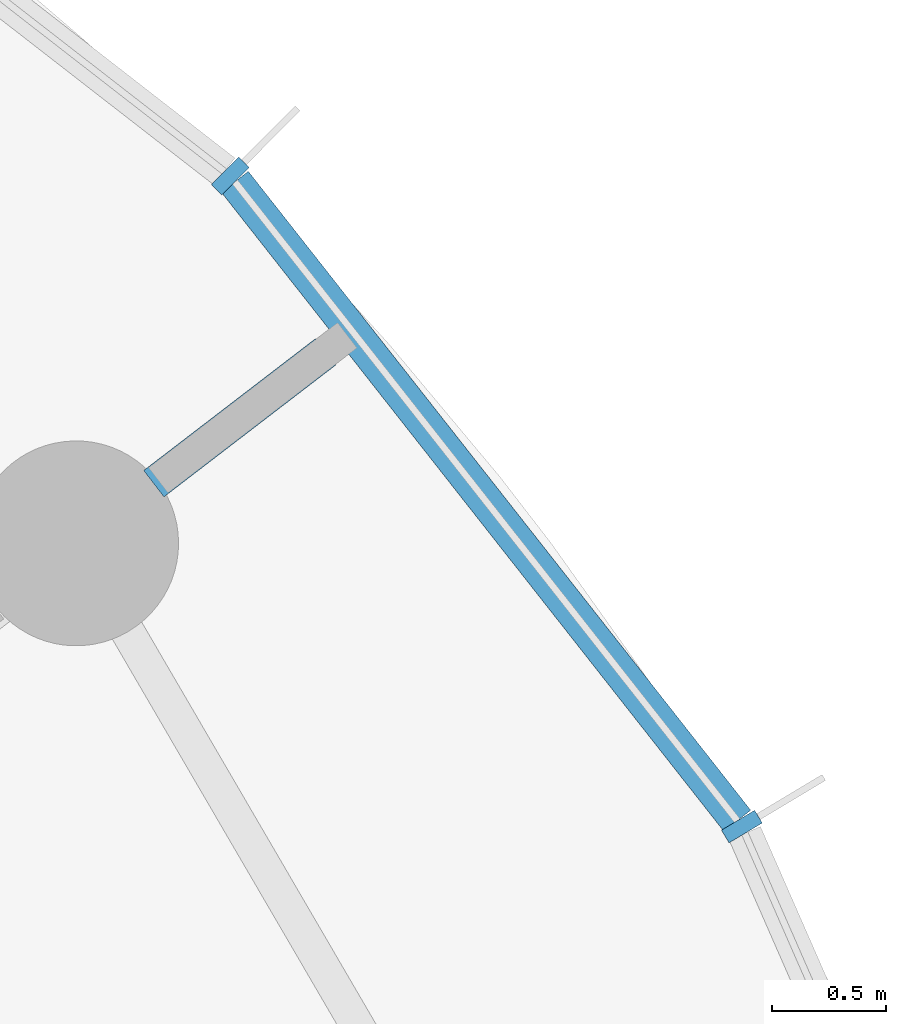
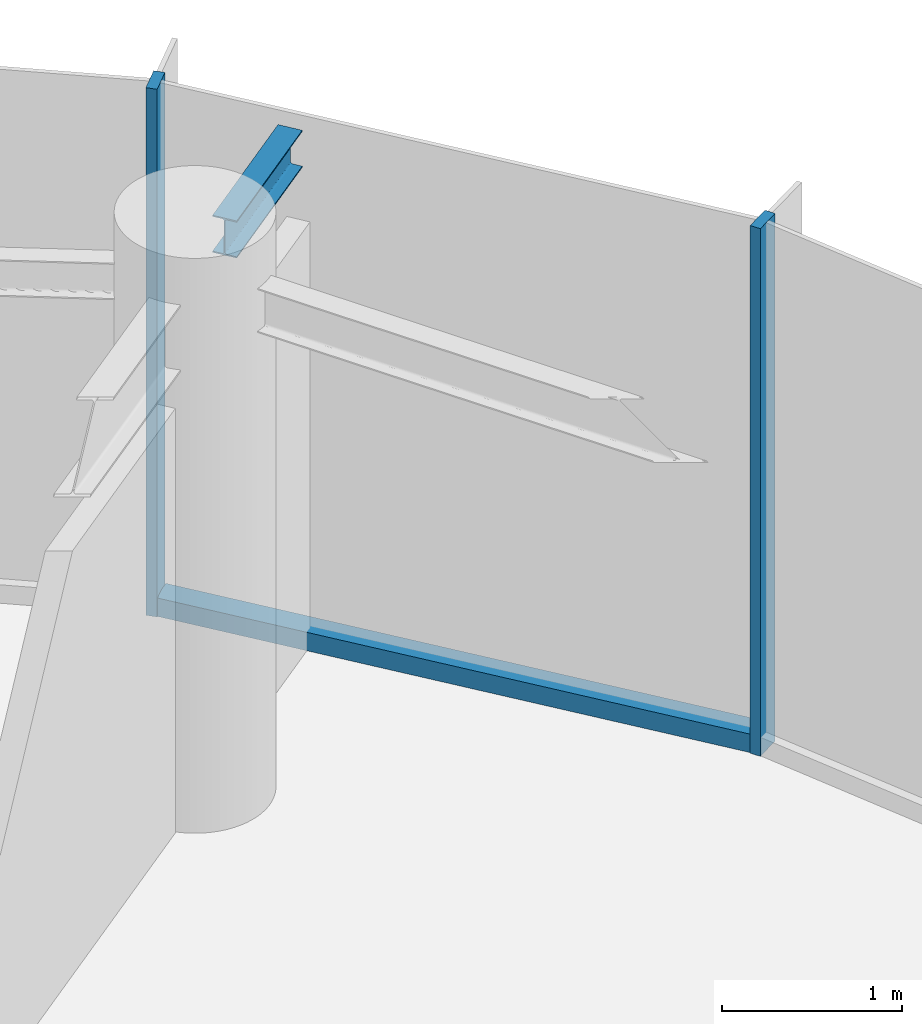
# One storey, part 7 of 14: 3 members, 1 beam, 1 element without a shape of its own.
"""IFC4 building model written with IfcOpenShell, lengths in metres."""

from ifc_helpers import new_model, si_unit, direction, frame, origin, origin_2d, place, context, subcontext, project, spatial, rectangle, i_section, extrude, source, transform, mapped, material, layer, layer_set, material_profile, profile_set, type_object, element, aggregate, save


model = new_model("IFC4")

# Units and contexts
model_context = context("Model", 3, precision=1e-05, world=origin(), true_north=direction((0.0, 1.0)))
body_context = subcontext(model_context, "Body", "Model", "MODEL_VIEW")
ifc_project = project(units=[si_unit("LENGTHUNIT", "METRE"), si_unit("AREAUNIT", "SQUARE_METRE"), si_unit("VOLUMEUNIT", "CUBIC_METRE"), si_unit("PLANEANGLEUNIT", "RADIAN"), si_unit("MASSUNIT", "GRAM", prefix="KILO")], contexts=[model_context])

# Site, building, storey
site_placement = place(None, origin())
site = spatial("IfcSite", under=ifc_project, at=site_placement, CompositionType="ELEMENT")
building_placement = place(site_placement, origin())
building = spatial("IfcBuilding", under=site, at=building_placement, Name="Spindrift Exchange Tower", CompositionType="ELEMENT")
storey_placement = place(building_placement, frame((0.0, 0.0, 203.300048828125)))
storey = spatial("IfcBuildingStorey", under=building, at=storey_placement, Name="L49", CompositionType="ELEMENT", Elevation=203.300048828125)

# Beam
ifc_material_1 = material(Name="Steel Grade 300", Category="steel")
ifc_material_profile_1 = material_profile(ifc_material_1, i_section(OverallWidth=0.14599609375, OverallDepth=0.251953125, WebThickness=0.006103515625, FlangeThickness=0.008544921875, FilletRadius=0.011962890625, at=origin_2d()), Name="250UB31.4")
ifc_profile_set_1 = profile_set([ifc_material_profile_1], Name="Steel Grade 300")
beam_type = type_object("IfcBeamType", Name="Cantilever Beam 250UB31.4 Steel Grade 300", PredefinedType="BEAM", material=ifc_profile_set_1)
shared_shape_1 = source(origin(), body_context, "Body", "SweptSolid", [
    extrude(i_section(OverallWidth=0.14599609375, OverallDepth=0.251953125, WebThickness=0.006103515625, FlangeThickness=0.008544921875, FilletRadius=0.011962890625, at=origin_2d()), origin(), (0.0, 0.0, 1.0), 0.95166015625),
])
beam_placement = place(storey_placement, frame((70.143310546875, 61.921875, 3.453857421875), z_axis=(0.793300680677, 0.608830050209, 0.0), x_axis=(-0.608830050209, 0.793300680677, 0.0)))
element("IfcBeam", 1, at=beam_placement, inside=storey, type_object=beam_type, Name="L49 cantilever beam R03T", PredefinedType="BEAM", context=body_context, shape_type="MappedRepresentation", body=[
    mapped(shared_shape_1, transform((0.0, 0.0, 0.0), scale=1.0)),
])

# Curtain wall, members
ifc_material_2 = material(Name="Fritted laminated glass with bronze frame", Category="glass")
ifc_layer = layer(ifc_material_2, 0.169921875)
ifc_layer_set = layer_set([ifc_layer], Name="ZONE 4 BRONZE FRITTED WALL")
curtain_wall_type = type_object("IfcCurtainWallType", Name="ZONE 4 BRONZE FRITTED WALL", PredefinedType="NOTDEFINED", material=ifc_layer_set)
curtain_wall_placement = place(storey_placement, origin())
curtain_wall = element("IfcCurtainWall", 2, at=curtain_wall_placement, inside=storey, type_object=curtain_wall_type, Name="L49 Zone 4 Bronze Fritted Wall run 1", PredefinedType="NOTDEFINED")
ifc_material_3 = material(Name="Bronze anodised aluminium", Category="aluminium")
ifc_material_profile_2 = material_profile(ifc_material_3, rectangle(XDim=0.06494140625, YDim=0.169921875, at=origin_2d()), Name="ZONE 4 BRONZE FRITTED WALL MULLION 65X170")
ifc_profile_set_2 = profile_set([ifc_material_profile_2], Name="Bronze anodised aluminium")
member_type_1 = type_object("IfcMemberType", Name="ZONE 4 BRONZE FRITTED WALL MULLION 65X170", PredefinedType="MULLION", material=ifc_profile_set_2)
shared_shape_2 = source(origin(), body_context, "Body", "SweptSolid", [
    extrude(rectangle(XDim=0.06494140625, YDim=0.169921875, at=origin_2d()), origin(), (0.0, 0.0, 1.0), 3.579833984375),
])
member_1_placement = place(storey_placement, frame((72.726318359375, 60.415771484375, 0.0), z_axis=(0.0, 0.0, 1.0), x_axis=(-0.513877690784, 0.857863461697, 0.0)))
member_1 = element("IfcMember", 3, at=member_1_placement, type_object=member_type_1, Name="L49 mullion CW-4.1", PredefinedType="MULLION", context=body_context, shape_type="MappedRepresentation", body=[
    mapped(shared_shape_2, transform((0.0, 0.0, 0.0), scale=1.0)),
])
member_2_placement = place(storey_placement, frame((70.479248046875, 63.273193359375, 0.0), z_axis=(0.0, 0.0, 1.0), x_axis=(-0.709241939571, 0.704965155986, 0.0)))
member_2 = element("IfcMember", 4, at=member_2_placement, type_object=member_type_1, Name="L49 mullion CW-4.2", PredefinedType="MULLION", context=body_context, shape_type="MappedRepresentation", body=[
    mapped(shared_shape_2, transform((0.0, 0.0, 0.0), scale=1.0)),
])
ifc_material_profile_3 = material_profile(ifc_material_3, rectangle(XDim=0.14990234375, YDim=0.125, at=origin_2d()), Name="ZONE 4 BRONZE FRITTED WALL TRANSOM 150X125")
ifc_profile_set_3 = profile_set([ifc_material_profile_3], Name="Bronze anodised aluminium")
member_type_2 = type_object("IfcMemberType", Name="ZONE 4 BRONZE FRITTED WALL TRANSOM 150X125", PredefinedType="USERDEFINED", material=ifc_profile_set_3)
shared_shape_3 = source(origin(), body_context, "Body", "SweptSolid", [
    extrude(rectangle(XDim=0.14990234375, YDim=0.125, at=origin_2d()), origin(), (0.0, 0.0, 1.0), 3.570556640625),
])
member_3_placement = place(storey_placement, frame((72.706298828125, 60.441162109375, 0.0625), z_axis=(-0.618135566115, 0.786071511953, 0.0), x_axis=(-0.786071511953, -0.618135566115, 0.0)))
member_3 = element("IfcMember", 5, at=member_3_placement, type_object=member_type_2, Name="L49 transom CW-4.1", ObjectType="TRANSOM", PredefinedType="USERDEFINED", context=body_context, shape_type="MappedRepresentation", body=[
    mapped(shared_shape_3, transform((0.0, 0.0, 0.0), scale=1.0)),
])
aggregate(curtain_wall, [member_1, member_3, member_2])

save(model, "model.ifc")
